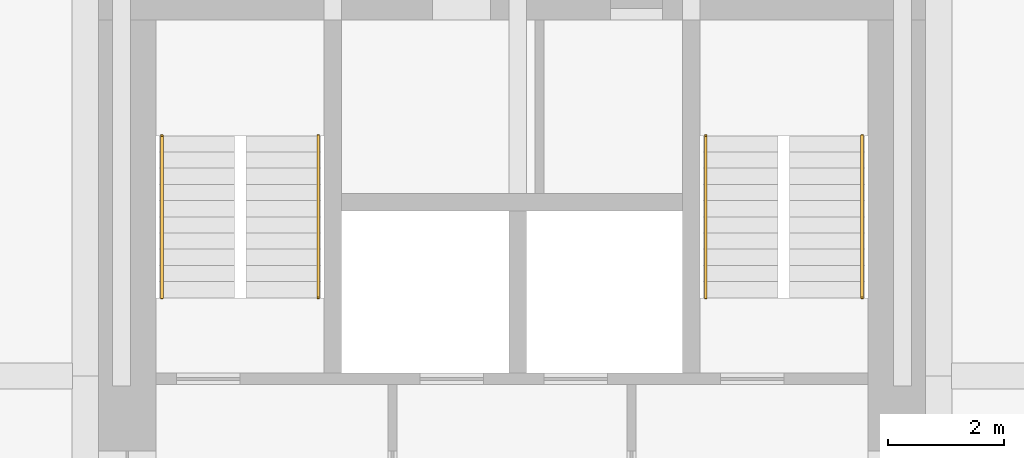
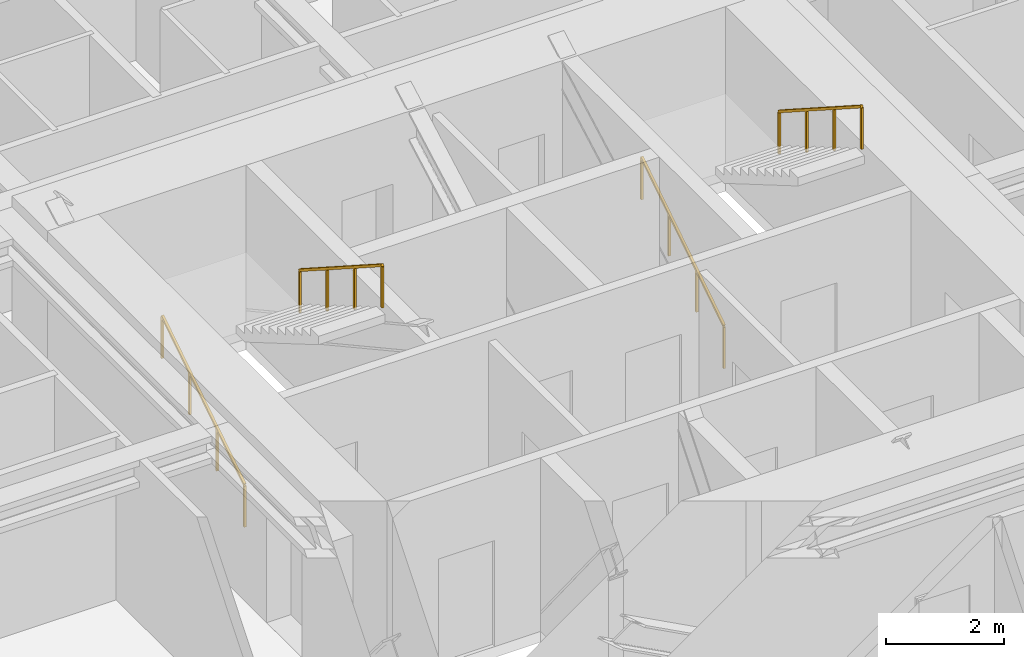
# One storey, part 11 of 11: 4 railings.
"""IFC4 building model written with IfcOpenShell, lengths in metres."""

from ifc_helpers import new_model, si_unit, direction, frame, origin, origin_2d, place, context, subcontext, project, spatial, rectangle, extrude, material, type_object, element, save


model = new_model("IFC4")

# Units and contexts
model_context = context("Model", 3, precision=1e-05, world=origin(), true_north=direction((0.0, 1.0)))
body_context = subcontext(model_context, "Body", "Model", "MODEL_VIEW")
ifc_project = project(units=[si_unit("LENGTHUNIT", "METRE"), si_unit("AREAUNIT", "SQUARE_METRE"), si_unit("VOLUMEUNIT", "CUBIC_METRE"), si_unit("PLANEANGLEUNIT", "RADIAN"), si_unit("MASSUNIT", "GRAM", prefix="KILO")], contexts=[model_context])

# Site, building, storey
site_placement = place(None, origin())
site = spatial("IfcSite", under=ifc_project, at=site_placement, CompositionType="ELEMENT")
building_placement = place(site_placement, origin())
building = spatial("IfcBuilding", under=site, at=building_placement, Name="Nyansa Garden Tower", CompositionType="ELEMENT")
storey_placement = place(building_placement, frame((0.0, 0.0, 160.199951171875)))
storey = spatial("IfcBuildingStorey", under=building, at=storey_placement, Name="L43", CompositionType="ELEMENT", Elevation=160.199951171875)

# Railings
ifc_material = material(Name="Black powder-coated steel tube 48 mm", Category="steel")
railing_type = type_object("IfcRailingType", Name="Stair handrail HR1", PredefinedType="HANDRAIL", material=ifc_material)
railing_1_placement = place(storey_placement, frame((14.199951171875, 21.60009765625, 0.0)))
element("IfcRailing", 1, at=railing_1_placement, inside=storey, type_object=railing_type, Name="Stair S1 handrail L43", PredefinedType="HANDRAIL", context=body_context, shape_type="SweptSolid", body=[
    extrude(rectangle(XDim=0.048095703125, YDim=0.048095703125, at=origin_2d()), frame((0.0, 0.0, 0.8759765625), z_axis=(0.0, 0.841154643086, 0.54079466197), x_axis=(-1.0, 0.0, 0.0)), (0.0, 0.0, 1.0), 3.32861328125),
    extrude(rectangle(XDim=0.0419921875, YDim=0.0419921875, at=origin_2d()), origin(), (0.0, 0.0, 1.0), 0.851806640625),
    extrude(rectangle(XDim=0.0419921875, YDim=0.0419921875, at=origin_2d()), frame((0.0, 0.933349609375, 0.60009765625)), (0.0, 0.0, 1.0), 0.851806640625),
    extrude(rectangle(XDim=0.0419921875, YDim=0.0419921875, at=origin_2d()), frame((0.0, 1.866455078125, 1.199951171875)), (0.0, 0.0, 1.0), 0.851806640625),
    extrude(rectangle(XDim=0.0419921875, YDim=0.0419921875, at=origin_2d()), frame((0.0, 2.7998046875, 1.800048828125)), (0.0, 0.0, 1.0), 0.851806640625),
])
railing_2_placement = place(storey_placement, frame((16.89990234375, 24.39990234375, 1.800048828125)))
element("IfcRailing", 2, at=railing_2_placement, inside=storey, type_object=railing_type, Name="Stair S1 handrail L43", PredefinedType="HANDRAIL", context=body_context, shape_type="SweptSolid", body=[
    extrude(rectangle(XDim=0.048095703125, YDim=0.048095703125, at=origin_2d()), frame((0.0, 0.0, 0.8759765625), z_axis=(0.0, -0.841154643086, 0.54079466197), x_axis=(1.0, 0.0, 0.0)), (0.0, 0.0, 1.0), 3.32861328125),
    extrude(rectangle(XDim=0.0419921875, YDim=0.0419921875, at=origin_2d()), origin(), (0.0, 0.0, 1.0), 0.851806640625),
    extrude(rectangle(XDim=0.0419921875, YDim=0.0419921875, at=origin_2d()), frame((0.0, -0.933349609375, 0.60009765625)), (0.0, 0.0, 1.0), 0.851806640625),
    extrude(rectangle(XDim=0.0419921875, YDim=0.0419921875, at=origin_2d()), frame((0.0, -1.866455078125, 1.199951171875)), (0.0, 0.0, 1.0), 0.851806640625),
    extrude(rectangle(XDim=0.0419921875, YDim=0.0419921875, at=origin_2d()), frame((0.0, -2.7998046875, 1.800048828125)), (0.0, 0.0, 1.0), 0.851806640625),
])
railing_3_placement = place(storey_placement, frame((23.60009765625, 21.60009765625, 0.0)))
element("IfcRailing", 3, at=railing_3_placement, inside=storey, type_object=railing_type, Name="Stair S2 handrail L43", PredefinedType="HANDRAIL", context=body_context, shape_type="SweptSolid", body=[
    extrude(rectangle(XDim=0.048095703125, YDim=0.048095703125, at=origin_2d()), frame((0.0, 0.0, 0.8759765625), z_axis=(0.0, 0.841154643086, 0.54079466197), x_axis=(-1.0, 0.0, 0.0)), (0.0, 0.0, 1.0), 3.32861328125),
    extrude(rectangle(XDim=0.0419921875, YDim=0.0419921875, at=origin_2d()), origin(), (0.0, 0.0, 1.0), 0.851806640625),
    extrude(rectangle(XDim=0.0419921875, YDim=0.0419921875, at=origin_2d()), frame((0.0, 0.933349609375, 0.60009765625)), (0.0, 0.0, 1.0), 0.851806640625),
    extrude(rectangle(XDim=0.0419921875, YDim=0.0419921875, at=origin_2d()), frame((0.0, 1.866455078125, 1.199951171875)), (0.0, 0.0, 1.0), 0.851806640625),
    extrude(rectangle(XDim=0.0419921875, YDim=0.0419921875, at=origin_2d()), frame((0.0, 2.7998046875, 1.800048828125)), (0.0, 0.0, 1.0), 0.851806640625),
])
railing_4_placement = place(storey_placement, frame((26.300048828125, 24.39990234375, 1.800048828125)))
element("IfcRailing", 4, at=railing_4_placement, inside=storey, type_object=railing_type, Name="Stair S2 handrail L43", PredefinedType="HANDRAIL", context=body_context, shape_type="SweptSolid", body=[
    extrude(rectangle(XDim=0.048095703125, YDim=0.048095703125, at=origin_2d()), frame((0.0, 0.0, 0.8759765625), z_axis=(0.0, -0.841154643086, 0.54079466197), x_axis=(1.0, 0.0, 0.0)), (0.0, 0.0, 1.0), 3.32861328125),
    extrude(rectangle(XDim=0.0419921875, YDim=0.0419921875, at=origin_2d()), origin(), (0.0, 0.0, 1.0), 0.851806640625),
    extrude(rectangle(XDim=0.0419921875, YDim=0.0419921875, at=origin_2d()), frame((0.0, -0.933349609375, 0.60009765625)), (0.0, 0.0, 1.0), 0.851806640625),
    extrude(rectangle(XDim=0.0419921875, YDim=0.0419921875, at=origin_2d()), frame((0.0, -1.866455078125, 1.199951171875)), (0.0, 0.0, 1.0), 0.851806640625),
    extrude(rectangle(XDim=0.0419921875, YDim=0.0419921875, at=origin_2d()), frame((0.0, -2.7998046875, 1.800048828125)), (0.0, 0.0, 1.0), 0.851806640625),
])

save(model, "model.ifc")
